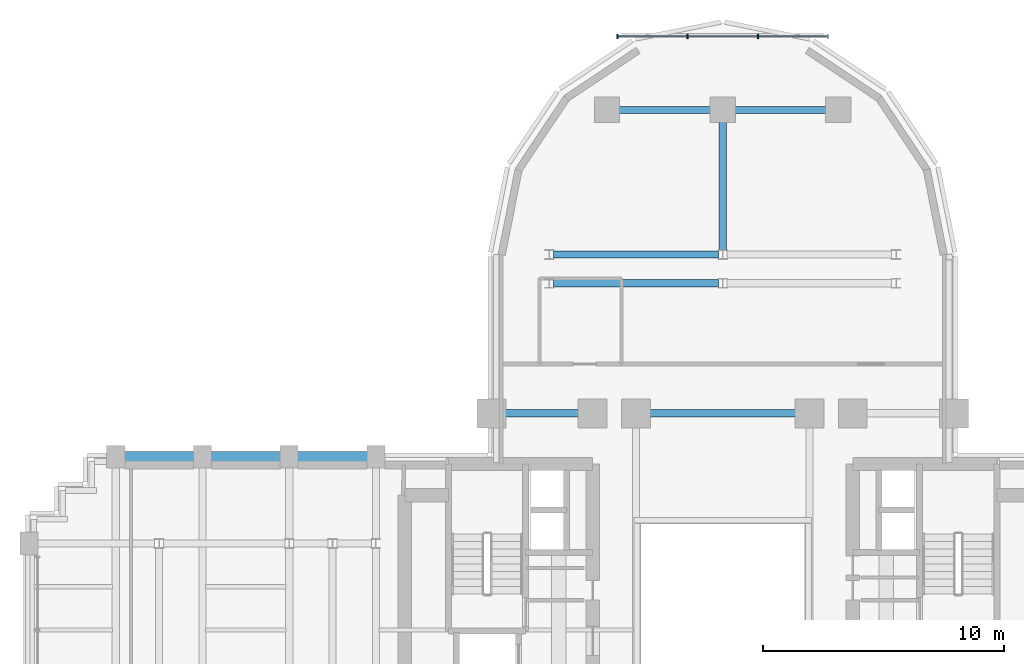
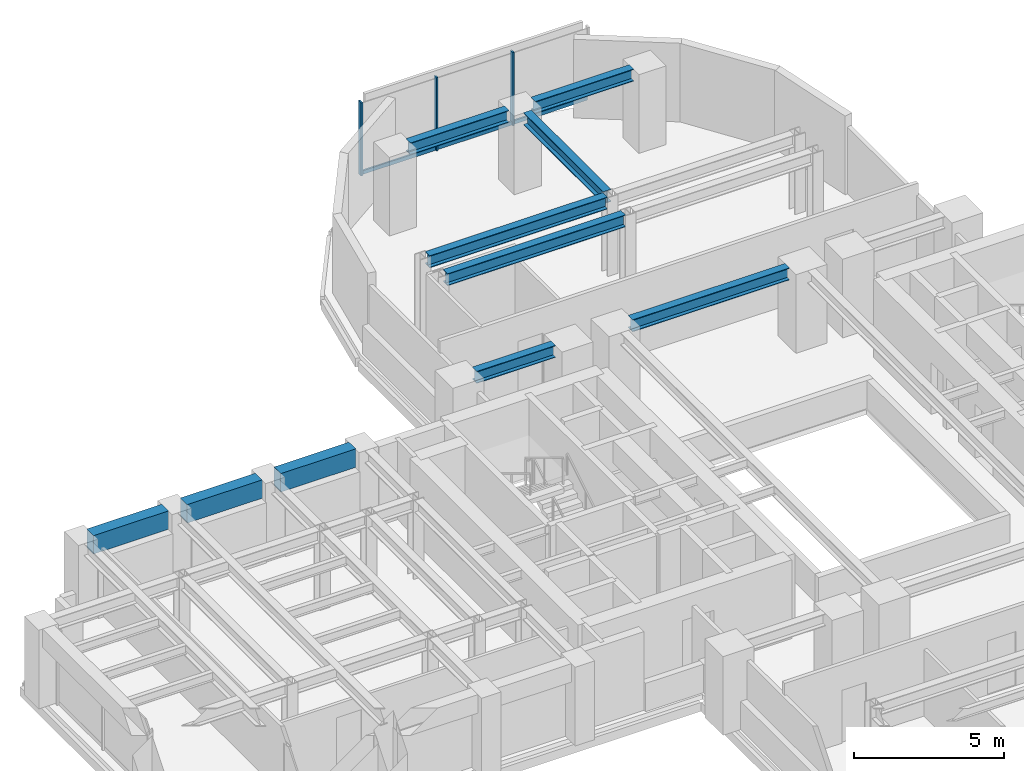
# One storey, part 7 of 16: 10 beams, 6 members, 1 element without a shape of its own.
"""IFC4 building model written with IfcOpenShell, lengths in metres."""

from ifc_helpers import new_model, si_unit, direction, frame, origin, origin_2d, place, context, subcontext, project, spatial, rectangle, i_section, extrude, source, transform, mapped, material, material_profile, profile_set, type_object, element, aggregate, save


model = new_model("IFC4")

# Units and contexts
model_context = context("Model", 3, precision=1e-05, world=origin(), true_north=direction((0.0, 1.0)))
body_context = subcontext(model_context, "Body", "Model", "MODEL_VIEW")
ifc_project = project(units=[si_unit("LENGTHUNIT", "METRE"), si_unit("AREAUNIT", "SQUARE_METRE"), si_unit("VOLUMEUNIT", "CUBIC_METRE"), si_unit("PLANEANGLEUNIT", "RADIAN"), si_unit("MASSUNIT", "GRAM", prefix="KILO")], contexts=[model_context])

# Site, building, storey
site_placement = place(None, origin())
site = spatial("IfcSite", under=ifc_project, at=site_placement, CompositionType="ELEMENT")
building_placement = place(site_placement, origin())
building = spatial("IfcBuilding", under=site, at=building_placement, Name="Keilestroom Media Tower", CompositionType="ELEMENT")
storey_placement = place(building_placement, frame((0.0, 0.0, 54.39990234375)))
storey = spatial("IfcBuildingStorey", under=building, at=storey_placement, Name="L13", CompositionType="ELEMENT", Elevation=54.39990234375)

# Beams
ifc_material_1 = material(Name="Precast concrete C40/50", Category="concrete")
ifc_material_profile_1 = material_profile(ifc_material_1, rectangle(XDim=0.449951171875, YDim=0.75, at=origin_2d()), Name="PC 450x750")
ifc_profile_set_1 = profile_set([ifc_material_profile_1], Name="Precast concrete C40/50")
beam_type_1 = type_object("IfcBeamType", Name="Perimeter-Spandrel-Beam-PC-450x750", PredefinedType="SPANDREL", material=ifc_profile_set_1)
shared_shape_1 = source(origin(), body_context, "Body", "SweptSolid", [
    extrude(rectangle(XDim=0.449951171875, YDim=0.75, at=origin_2d()), origin(), (0.0, 0.0, 1.0), 2.889892578125),
])
beam_1_placement = place(storey_placement, frame((-24.844970703125, 7.199951171875, 2.8251953125), z_axis=(1.0, 0.0, 0.0), x_axis=(0.0, 1.0, 0.0)))
element("IfcBeam", 1, at=beam_1_placement, inside=storey, type_object=beam_type_1, Name="L13 Beam SPB-1 BM-L13-EW-034", PredefinedType="SPANDREL", context=body_context, shape_type="MappedRepresentation", body=[
    mapped(shared_shape_1, transform((0.0, 0.0, 0.0), x_axis=(1.0, 0.0, 0.0), y_axis=(0.0, 1.0, 0.0), z_axis=(0.0, 0.0, 1.0), scale=1.0)),
])
shared_shape_2 = source(origin(), body_context, "Body", "SweptSolid", [
    extrude(rectangle(XDim=0.449951171875, YDim=0.75, at=origin_2d()), origin(), (0.0, 0.0, 1.0), 2.89013671875),
])
for number, where, z_axis, x_axis, name in (
    (2, (-21.2451171875, 7.199951171875, 2.8251953125), (1.0, 0.0, 0.0), (0.0, 1.0, 0.0), "L13 Beam SPB-1 BM-L13-EW-035"),
    (3, (-17.64501953125, 7.199951171875, 2.8251953125), (1.0, 0.0, 0.0), (0.0, 1.0, 0.0), "L13 Beam SPB-1 BM-L13-EW-036"),
):
    element("IfcBeam", number, at=place(storey_placement, frame(where, z_axis=z_axis, x_axis=x_axis)), inside=storey, type_object=beam_type_1, Name=name, PredefinedType="SPANDREL", context=body_context, shape_type="MappedRepresentation", body=[
        mapped(shared_shape_2, transform((0.0, 0.0, 0.0), x_axis=(1.0, 0.0, 0.0), y_axis=(0.0, 1.0, 0.0), z_axis=(0.0, 0.0, 1.0), scale=1.0)),
    ])
ifc_material_2 = material(Name="Steel S355", Category="steel")
ifc_material_profile_2 = material_profile(ifc_material_2, i_section(OverallWidth=0.300048828125, OverallDepth=0.5, WebThickness=0.012451171875, FlangeThickness=0.028076171875, at=origin_2d()), Name="HEB 500")
ifc_profile_set_2 = profile_set([ifc_material_profile_2], Name="Steel S355")
beam_type_2 = type_object("IfcBeamType", Name="Primary-Structural-Girder-HEB-500", PredefinedType="BEAM", material=ifc_profile_set_2)
shared_shape_3 = source(origin(), body_context, "Body", "SweptSolid", [
    extrude(i_section(OverallWidth=0.300048828125, OverallDepth=0.5, WebThickness=0.012451171875, FlangeThickness=0.028076171875, at=origin_2d()), origin(), (0.0, 0.0, 1.0), 5.3115234375),
])
beam_2_placement = place(storey_placement, frame((0.0, 15.783447265625, 2.9501953125), z_axis=(0.0, 1.0, 0.0), x_axis=(-1.0, 0.0, 0.0)))
element("IfcBeam", 4, at=beam_2_placement, inside=storey, type_object=beam_type_2, Name="L13 Beam BG-6 BM-L13-NS-070", PredefinedType="BEAM", context=body_context, shape_type="MappedRepresentation", body=[
    mapped(shared_shape_3, transform((0.0, 0.0, 0.0), x_axis=(1.0, 0.0, 0.0), y_axis=(0.0, 1.0, 0.0), z_axis=(0.0, 0.0, 1.0), scale=1.0)),
])
ifc_material_profile_3 = material_profile(ifc_material_2, i_section(OverallWidth=0.300048828125, OverallDepth=0.489990234375, WebThickness=0.011962890625, FlangeThickness=0.02294921875, at=origin_2d()), Name="HEA 500")
ifc_profile_set_3 = profile_set([ifc_material_profile_3], Name="Steel S355")
beam_type_3 = type_object("IfcBeamType", Name="Primary-Structural-Girder-HEA-500", PredefinedType="BEAM", material=ifc_profile_set_3)
shared_shape_4 = source(origin(), body_context, "Body", "SweptSolid", [
    extrude(i_section(OverallWidth=0.300048828125, OverallDepth=0.489990234375, WebThickness=0.011962890625, FlangeThickness=0.02294921875, at=origin_2d()), origin(), (0.0, 0.0, 1.0), 3.7900390625),
])
for number, where, z_axis, x_axis, name in (
    (5, (-4.294921875, 21.60009765625, 2.955078125), (1.0, 0.0, 0.0), (0.0, 1.0, 0.0), "L13 Beam BG-10 BM-L13-EW-049"),
    (6, (0.5048828125, 21.60009765625, 2.955078125), (1.0, 0.0, 0.0), (0.0, 1.0, 0.0), "L13 Beam BG-10 BM-L13-EW-050"),
):
    element("IfcBeam", number, at=place(storey_placement, frame(where, z_axis=z_axis, x_axis=x_axis)), inside=storey, type_object=beam_type_3, Name=name, PredefinedType="BEAM", context=body_context, shape_type="MappedRepresentation", body=[
        mapped(shared_shape_4, transform((0.0, 0.0, 0.0), x_axis=(1.0, 0.0, 0.0), y_axis=(0.0, 1.0, 0.0), z_axis=(0.0, 0.0, 1.0), scale=1.0)),
    ])
shared_shape_5 = source(origin(), body_context, "Body", "SweptSolid", [
    extrude(i_section(OverallWidth=0.300048828125, OverallDepth=0.489990234375, WebThickness=0.011962890625, FlangeThickness=0.02294921875, at=origin_2d()), origin(), (0.0, 0.0, 1.0), 6.836181640625),
])
for number, where, z_axis, x_axis, name in (
    (7, (-7.01806640625, 14.39990234375, 2.955078125), (1.0, 0.0, 0.0), (0.0, 1.0, 0.0), "L13 Beam BG-10 BM-L13-EW-045"),
    (8, (-7.01806640625, 15.60009765625, 2.955078125), (1.0, 0.0, 0.0), (0.0, 1.0, 0.0), "L13 Beam BG-10 BM-L13-EW-047"),
):
    element("IfcBeam", number, at=place(storey_placement, frame(where, z_axis=z_axis, x_axis=x_axis)), inside=storey, type_object=beam_type_3, Name=name, PredefinedType="BEAM", context=body_context, shape_type="MappedRepresentation", body=[
        mapped(shared_shape_5, transform((0.0, 0.0, 0.0), x_axis=(1.0, 0.0, 0.0), y_axis=(0.0, 1.0, 0.0), z_axis=(0.0, 0.0, 1.0), scale=1.0)),
    ])
shared_shape_6 = source(origin(), body_context, "Body", "SweptSolid", [
    extrude(i_section(OverallWidth=0.300048828125, OverallDepth=0.489990234375, WebThickness=0.011962890625, FlangeThickness=0.02294921875, at=origin_2d()), origin(), (0.0, 0.0, 1.0), 3.0400390625),
])
beam_3_placement = place(storey_placement, frame((-9.02001953125, 9.0, 2.955078125), z_axis=(1.0, 0.0, 0.0), x_axis=(0.0, 1.0, 0.0)))
element("IfcBeam", 9, at=beam_3_placement, inside=storey, type_object=beam_type_3, Name="L13 Beam BG-10 BM-L13-EW-040", PredefinedType="BEAM", context=body_context, shape_type="MappedRepresentation", body=[
    mapped(shared_shape_6, transform((0.0, 0.0, 0.0), x_axis=(1.0, 0.0, 0.0), y_axis=(0.0, 1.0, 0.0), z_axis=(0.0, 0.0, 1.0), scale=1.0)),
])
shared_shape_7 = source(origin(), body_context, "Body", "SweptSolid", [
    extrude(i_section(OverallWidth=0.300048828125, OverallDepth=0.489990234375, WebThickness=0.011962890625, FlangeThickness=0.02294921875, at=origin_2d()), origin(), (0.0, 0.0, 1.0), 6.0400390625),
])
beam_4_placement = place(storey_placement, frame((-3.02001953125, 9.0, 2.955078125), z_axis=(1.0, 0.0, 0.0), x_axis=(0.0, 1.0, 0.0)))
element("IfcBeam", 10, at=beam_4_placement, inside=storey, type_object=beam_type_3, Name="L13 Beam BG-10 BM-L13-EW-042", PredefinedType="BEAM", context=body_context, shape_type="MappedRepresentation", body=[
    mapped(shared_shape_7, transform((0.0, 0.0, 0.0), x_axis=(1.0, 0.0, 0.0), y_axis=(0.0, 1.0, 0.0), z_axis=(0.0, 0.0, 1.0), scale=1.0)),
])

# Curtain wall, members
ifc_material_3 = material(Name="Anodised Aluminium Alloy", Category="aluminium")
curtain_wall_type = type_object("IfcCurtainWallType", Name="Unitised-Curtain-Wall-CW-6", PredefinedType="NOTDEFINED", material=ifc_material_3)
curtain_wall_placement = place(storey_placement, origin())
curtain_wall = element("IfcCurtainWall", 11, at=curtain_wall_placement, inside=storey, type_object=curtain_wall_type, Name="L13 Curtain Wall CW-6 CW-L13-LN-1", PredefinedType="NOTDEFINED")
ifc_material_profile_4 = material_profile(ifc_material_3, rectangle(XDim=0.06494140625, YDim=0.179931640625, at=origin_2d()), Name="ALU MULLION 65x180")
ifc_profile_set_4 = profile_set([ifc_material_profile_4], Name="Anodised Aluminium Alloy")
member_type_1 = type_object("IfcMemberType", Name="Curtain-Wall-Mullion-CW-6", PredefinedType="MULLION", material=ifc_profile_set_4)
shared_shape_8 = source(origin(), body_context, "Body", "SweptSolid", [
    extrude(rectangle(XDim=0.06494140625, YDim=0.179931640625, at=origin_2d()), origin(), (0.0, 0.0, 1.0), 2.97998046875),
])
member_1_placement = place(storey_placement, frame((-4.367431640625, 24.64990234375, 0.0), z_axis=(0.0, 0.0, 1.0), x_axis=(1.0, 0.0, 0.0)))
member_1 = element("IfcMember", 12, at=member_1_placement, type_object=member_type_1, Name="CW-6 Mullion 00", PredefinedType="MULLION", context=body_context, shape_type="MappedRepresentation", body=[
    mapped(shared_shape_8, transform((0.0, 0.0, 0.0), x_axis=(1.0, 0.0, 0.0), y_axis=(0.0, 1.0, 0.0), z_axis=(0.0, 0.0, 1.0), scale=1.0)),
])
member_2_placement = place(storey_placement, frame((-1.466796875, 24.64990234375, 0.0), z_axis=(0.0, 0.0, 1.0), x_axis=(1.0, 0.0, 0.0)))
member_2 = element("IfcMember", 13, at=member_2_placement, type_object=member_type_1, Name="CW-6 Mullion 01", PredefinedType="MULLION", context=body_context, shape_type="MappedRepresentation", body=[
    mapped(shared_shape_8, transform((0.0, 0.0, 0.0), x_axis=(1.0, 0.0, 0.0), y_axis=(0.0, 1.0, 0.0), z_axis=(0.0, 0.0, 1.0), scale=1.0)),
])
member_3_placement = place(storey_placement, frame((1.466796875, 24.64990234375, 0.0), z_axis=(0.0, 0.0, 1.0), x_axis=(1.0, 0.0, 0.0)))
member_3 = element("IfcMember", 14, at=member_3_placement, type_object=member_type_1, Name="CW-6 Mullion 02", PredefinedType="MULLION", context=body_context, shape_type="MappedRepresentation", body=[
    mapped(shared_shape_8, transform((0.0, 0.0, 0.0), x_axis=(1.0, 0.0, 0.0), y_axis=(0.0, 1.0, 0.0), z_axis=(0.0, 0.0, 1.0), scale=1.0)),
])
ifc_material_profile_5 = material_profile(ifc_material_3, rectangle(XDim=0.06494140625, YDim=0.14990234375, at=origin_2d()), Name="ALU TRANSOM 65x150")
ifc_profile_set_5 = profile_set([ifc_material_profile_5], Name="Anodised Aluminium Alloy")
member_type_2 = type_object("IfcMemberType", Name="Curtain-Wall-Transom-CW-6", PredefinedType="USERDEFINED", material=ifc_profile_set_5)
shared_shape_9 = source(origin(), body_context, "Body", "SweptSolid", [
    extrude(rectangle(XDim=0.06494140625, YDim=0.14990234375, at=origin_2d()), origin(), (0.0, 0.0, 1.0), 2.839599609375),
])
member_4_placement = place(storey_placement, frame((-4.3369140625, 24.64990234375, 0.0751953125), z_axis=(1.0, 0.0, 0.0), x_axis=(0.0, 1.0, 0.0)))
member_4 = element("IfcMember", 15, at=member_4_placement, type_object=member_type_2, Name="CW-6 Transom 00.1", ObjectType="TRANSOM", PredefinedType="USERDEFINED", context=body_context, shape_type="MappedRepresentation", body=[
    mapped(shared_shape_9, transform((0.0, 0.0, 0.0), x_axis=(1.0, 0.0, 0.0), y_axis=(0.0, 1.0, 0.0), z_axis=(0.0, 0.0, 1.0), scale=1.0)),
])
member_5_placement = place(storey_placement, frame((1.497314453125, 24.64990234375, 0.0751953125), z_axis=(1.0, 0.0, 0.0), x_axis=(0.0, 1.0, 0.0)))
member_5 = element("IfcMember", 16, at=member_5_placement, type_object=member_type_2, Name="CW-6 Transom 02.1", ObjectType="TRANSOM", PredefinedType="USERDEFINED", context=body_context, shape_type="MappedRepresentation", body=[
    mapped(shared_shape_9, transform((0.0, 0.0, 0.0), x_axis=(1.0, 0.0, 0.0), y_axis=(0.0, 1.0, 0.0), z_axis=(0.0, 0.0, 1.0), scale=1.0)),
])
shared_shape_10 = source(origin(), body_context, "Body", "SweptSolid", [
    extrude(rectangle(XDim=0.06494140625, YDim=0.14990234375, at=origin_2d()), origin(), (0.0, 0.0, 1.0), 2.87255859375),
])
member_6_placement = place(storey_placement, frame((-1.436279296875, 24.64990234375, 0.0751953125), z_axis=(1.0, 0.0, 0.0), x_axis=(0.0, 1.0, 0.0)))
member_6 = element("IfcMember", 17, at=member_6_placement, type_object=member_type_2, Name="CW-6 Transom 01.1", ObjectType="TRANSOM", PredefinedType="USERDEFINED", context=body_context, shape_type="MappedRepresentation", body=[
    mapped(shared_shape_10, transform((0.0, 0.0, 0.0), x_axis=(1.0, 0.0, 0.0), y_axis=(0.0, 1.0, 0.0), z_axis=(0.0, 0.0, 1.0), scale=1.0)),
])
aggregate(curtain_wall, [member_1, member_2, member_3, member_4, member_6, member_5])

save(model, "model.ifc")
